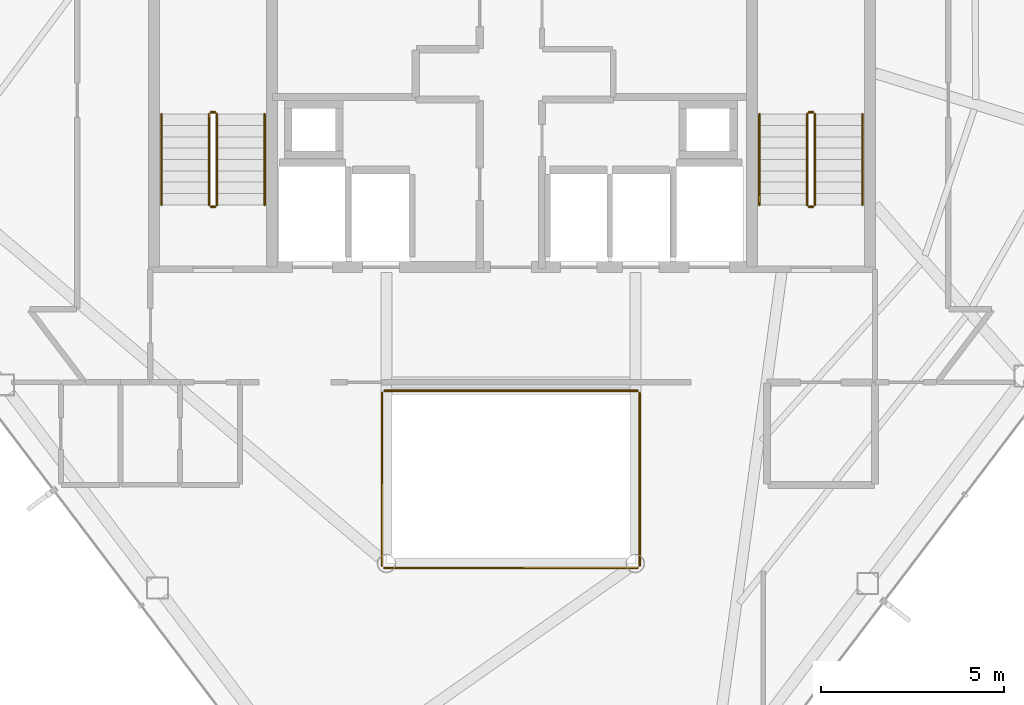
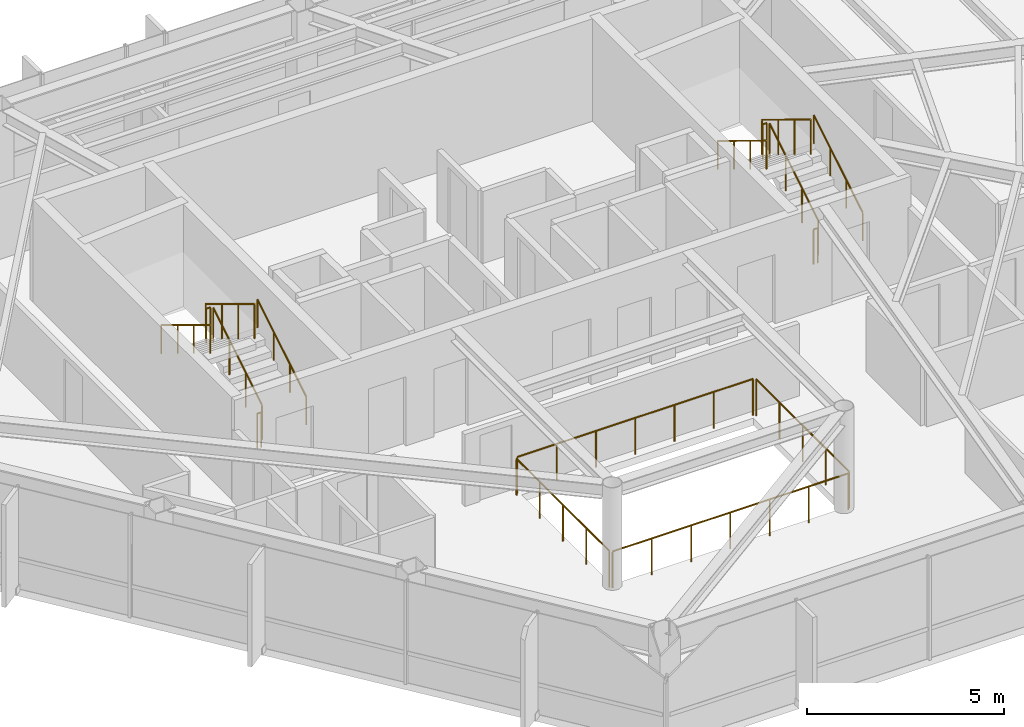
# One storey, part 27 of 27: 16 railings.
"""IFC4 building model written with IfcOpenShell, lengths in metres."""

from ifc_helpers import new_model, si_unit, direction, frame, origin, origin_2d, place, context, subcontext, project, spatial, circle, extrude, material, type_object, element, save


model = new_model("IFC4")

# Units and contexts
model_context = context("Model", 3, precision=1e-05, world=origin(), true_north=direction((0.0, 1.0)))
body_context = subcontext(model_context, "Body", "Model", "MODEL_VIEW")
ifc_project = project(units=[si_unit("LENGTHUNIT", "METRE"), si_unit("AREAUNIT", "SQUARE_METRE"), si_unit("VOLUMEUNIT", "CUBIC_METRE"), si_unit("PLANEANGLEUNIT", "RADIAN"), si_unit("MASSUNIT", "GRAM", prefix="KILO")], contexts=[model_context])

# Site, building, storey
site_placement = place(None, origin())
site = spatial("IfcSite", under=ifc_project, at=site_placement, CompositionType="ELEMENT")
building_placement = place(site_placement, origin())
building = spatial("IfcBuilding", under=site, at=building_placement, Name="Zarrinselat Tower", CompositionType="ELEMENT")
storey_placement = place(building_placement, frame((0.0, 0.0, 232.56005859375)))
storey = spatial("IfcBuildingStorey", under=building, at=storey_placement, Name="L58", CompositionType="ELEMENT", Elevation=232.56005859375)

# Railings
ifc_material_1 = material(Name="Double Low-E Laminated Solar Glass", Category="glass")
railing_type_1 = type_object("IfcRailingType", Name="RLG-ATRIUM-BAL", PredefinedType="BALUSTRADE", material=ifc_material_1)
railing_1_placement = place(storey_placement, frame((34.93994140625, 25.080078125, 0.0)))
element("IfcRailing", 1, at=railing_1_placement, inside=storey, type_object=railing_type_1, Name="L58 Atrium Void Glass Balustrade S", PredefinedType="BALUSTRADE", context=body_context, shape_type="SweptSolid", body=[
    extrude(circle(Radius=0.02392578125, at=origin_2d()), frame((0.0, 0.0, 1.1259765625), z_axis=(1.0, 0.0, 0.0), x_axis=(0.0, 1.0, 0.0)), (0.0, 0.0, 1.0), 6.920166015625),
    extrude(circle(Radius=0.02099609375, at=origin_2d()), origin(), (0.0, 0.0, 1.0), 1.099853515625),
    extrude(circle(Radius=0.02099609375, at=origin_2d()), frame((1.1533203125, 0.0, 0.0)), (0.0, 0.0, 1.0), 1.099853515625),
    extrude(circle(Radius=0.02099609375, at=origin_2d()), frame((2.306640625, 0.0, 0.0)), (0.0, 0.0, 1.0), 1.099853515625),
    extrude(circle(Radius=0.02099609375, at=origin_2d()), frame((3.4599609375, 0.0, 0.0)), (0.0, 0.0, 1.0), 1.099853515625),
    extrude(circle(Radius=0.02099609375, at=origin_2d()), frame((4.613525390625, 0.0, 0.0)), (0.0, 0.0, 1.0), 1.099853515625),
    extrude(circle(Radius=0.02099609375, at=origin_2d()), frame((5.766845703125, 0.0, 0.0)), (0.0, 0.0, 1.0), 1.099853515625),
    extrude(circle(Radius=0.02099609375, at=origin_2d()), frame((6.920166015625, 0.0, 0.0)), (0.0, 0.0, 1.0), 1.099853515625),
])
railing_2_placement = place(storey_placement, frame((41.919921875, 25.139892578125, 0.0)))
element("IfcRailing", 2, at=railing_2_placement, inside=storey, type_object=railing_type_1, Name="L58 Atrium Void Glass Balustrade E", PredefinedType="BALUSTRADE", context=body_context, shape_type="SweptSolid", body=[
    extrude(circle(Radius=0.02392578125, at=origin_2d()), frame((0.0, 0.0, 1.1259765625), z_axis=(0.0, 1.0, 0.0), x_axis=(-1.0, 0.0, 0.0)), (0.0, 0.0, 1.0), 4.72021484375),
    extrude(circle(Radius=0.02099609375, at=origin_2d()), origin(), (0.0, 0.0, 1.0), 1.099853515625),
    extrude(circle(Radius=0.02099609375, at=origin_2d()), frame((0.0, 1.18017578125, 0.0)), (0.0, 0.0, 1.0), 1.099853515625),
    extrude(circle(Radius=0.02099609375, at=origin_2d()), frame((0.0, 2.360107421875, 0.0)), (0.0, 0.0, 1.0), 1.099853515625),
    extrude(circle(Radius=0.02099609375, at=origin_2d()), frame((0.0, 3.5400390625, 0.0)), (0.0, 0.0, 1.0), 1.099853515625),
    extrude(circle(Radius=0.02099609375, at=origin_2d()), frame((0.0, 4.72021484375, 0.0)), (0.0, 0.0, 1.0), 1.099853515625),
])
railing_3_placement = place(storey_placement, frame((41.860107421875, 29.919921875, 0.0)))
element("IfcRailing", 3, at=railing_3_placement, inside=storey, type_object=railing_type_1, Name="L58 Atrium Void Glass Balustrade N", PredefinedType="BALUSTRADE", context=body_context, shape_type="SweptSolid", body=[
    extrude(circle(Radius=0.02392578125, at=origin_2d()), frame((0.0, 0.0, 1.1259765625), z_axis=(-1.0, 0.0, 0.0), x_axis=(0.0, -1.0, 0.0)), (0.0, 0.0, 1.0), 6.920166015625),
    extrude(circle(Radius=0.02099609375, at=origin_2d()), origin(), (0.0, 0.0, 1.0), 1.099853515625),
    extrude(circle(Radius=0.02099609375, at=origin_2d()), frame((-1.1533203125, 0.0, 0.0)), (0.0, 0.0, 1.0), 1.099853515625),
    extrude(circle(Radius=0.02099609375, at=origin_2d()), frame((-2.306640625, 0.0, 0.0)), (0.0, 0.0, 1.0), 1.099853515625),
    extrude(circle(Radius=0.02099609375, at=origin_2d()), frame((-3.4599609375, 0.0, 0.0)), (0.0, 0.0, 1.0), 1.099853515625),
    extrude(circle(Radius=0.02099609375, at=origin_2d()), frame((-4.613525390625, 0.0, 0.0)), (0.0, 0.0, 1.0), 1.099853515625),
    extrude(circle(Radius=0.02099609375, at=origin_2d()), frame((-5.766845703125, 0.0, 0.0)), (0.0, 0.0, 1.0), 1.099853515625),
    extrude(circle(Radius=0.02099609375, at=origin_2d()), frame((-6.920166015625, 0.0, 0.0)), (0.0, 0.0, 1.0), 1.099853515625),
])
railing_4_placement = place(storey_placement, frame((34.8798828125, 29.860107421875, 0.0)))
element("IfcRailing", 4, at=railing_4_placement, inside=storey, type_object=railing_type_1, Name="L58 Atrium Void Glass Balustrade W", PredefinedType="BALUSTRADE", context=body_context, shape_type="SweptSolid", body=[
    extrude(circle(Radius=0.02392578125, at=origin_2d()), frame((0.0, 0.0, 1.1259765625), z_axis=(0.0, -1.0, 0.0), x_axis=(1.0, 0.0, 0.0)), (0.0, 0.0, 1.0), 4.72021484375),
    extrude(circle(Radius=0.02099609375, at=origin_2d()), origin(), (0.0, 0.0, 1.0), 1.099853515625),
    extrude(circle(Radius=0.02099609375, at=origin_2d()), frame((0.0, -1.18017578125, 0.0)), (0.0, 0.0, 1.0), 1.099853515625),
    extrude(circle(Radius=0.02099609375, at=origin_2d()), frame((0.0, -2.360107421875, 0.0)), (0.0, 0.0, 1.0), 1.099853515625),
    extrude(circle(Radius=0.02099609375, at=origin_2d()), frame((0.0, -3.5400390625, 0.0)), (0.0, 0.0, 1.0), 1.099853515625),
    extrude(circle(Radius=0.02099609375, at=origin_2d()), frame((0.0, -4.72021484375, 0.0)), (0.0, 0.0, 1.0), 1.099853515625),
])
ifc_material_2 = material(Name="Steel S355J2", Category="steel")
railing_type_2 = type_object("IfcRailingType", Name="RLG-STAIR-GUARD", PredefinedType="GUARDRAIL", material=ifc_material_2)
railing_5_placement = place(storey_placement, frame((30.3701171875, 35.0, 0.188720703125)))
element("IfcRailing", 5, at=railing_5_placement, inside=storey, type_object=railing_type_2, Name="L58 ST-1 stair guard 1", PredefinedType="GUARDRAIL", context=body_context, shape_type="SweptSolid", body=[
    extrude(circle(Radius=0.02392578125, at=origin_2d()), frame((0.0, 0.0, 1.076171875), z_axis=(0.0, 0.853941963558, 0.520368256982), x_axis=(-1.0, 0.0, 0.0)), (0.0, 0.0, 1.0), 2.904052734375),
    extrude(circle(Radius=0.02099609375, at=origin_2d()), origin(), (0.0, 0.0, 1.0), 1.050048828125),
    extrude(circle(Radius=0.02099609375, at=origin_2d()), frame((0.0, 0.82666015625, 0.503662109375)), (0.0, 0.0, 1.0), 1.050048828125),
    extrude(circle(Radius=0.02099609375, at=origin_2d()), frame((0.0, 1.6533203125, 1.007568359375)), (0.0, 0.0, 1.0), 1.050048828125),
    extrude(circle(Radius=0.02099609375, at=origin_2d()), frame((0.0, 2.47998046875, 1.51123046875)), (0.0, 0.0, 1.0), 1.050048828125),
])
railing_6_placement = place(storey_placement, frame((30.320068359375, 37.530029296875, 1.699951171875)))
element("IfcRailing", 6, at=railing_6_placement, inside=storey, type_object=railing_type_2, Name="L58 ST-1 stair guard 2", PredefinedType="GUARDRAIL", context=body_context, shape_type="SweptSolid", body=[
    extrude(circle(Radius=0.02392578125, at=origin_2d()), frame((0.0, 0.0, 1.076171875), z_axis=(-1.0, 0.0, 0.0), x_axis=(0.0, -1.0, 0.0)), (0.0, 0.0, 1.0), 0.1201171875),
    extrude(circle(Radius=0.02099609375, at=origin_2d()), origin(), (0.0, 0.0, 1.0), 1.050048828125),
    extrude(circle(Radius=0.02099609375, at=origin_2d()), frame((-0.1201171875, 0.0, 0.0)), (0.0, 0.0, 1.0), 1.050048828125),
])
railing_7_placement = place(storey_placement, frame((30.14990234375, 37.47998046875, 1.888916015625)))
element("IfcRailing", 7, at=railing_7_placement, inside=storey, type_object=railing_type_2, Name="L58 ST-1 stair guard 3", PredefinedType="GUARDRAIL", context=body_context, shape_type="SweptSolid", body=[
    extrude(circle(Radius=0.02392578125, at=origin_2d()), frame((0.0, 0.0, 1.076171875), z_axis=(0.0, -0.8539793189, 0.520306950647), x_axis=(1.0, 0.0, 0.0)), (0.0, 0.0, 1.0), 2.904052734375),
    extrude(circle(Radius=0.02099609375, at=origin_2d()), origin(), (0.0, 0.0, 1.0), 1.050048828125),
    extrude(circle(Radius=0.02099609375, at=origin_2d()), frame((0.0, -0.82666015625, 0.503662109375)), (0.0, 0.0, 1.0), 1.050048828125),
    extrude(circle(Radius=0.02099609375, at=origin_2d()), frame((0.0, -1.6533203125, 1.00732421875)), (0.0, 0.0, 1.0), 1.050048828125),
    extrude(circle(Radius=0.02099609375, at=origin_2d()), frame((0.0, -2.47998046875, 1.510986328125)), (0.0, 0.0, 1.0), 1.050048828125),
])
railing_8_placement = place(storey_placement, frame((30.320068359375, 34.949951171875, 0.0)))
element("IfcRailing", 8, at=railing_8_placement, inside=storey, type_object=railing_type_2, Name="L58 ST-1 stair guard 4", PredefinedType="GUARDRAIL", context=body_context, shape_type="SweptSolid", body=[
    extrude(circle(Radius=0.02392578125, at=origin_2d()), frame((0.0, 0.0, 1.076171875), z_axis=(-1.0, 0.0, 0.0), x_axis=(0.0, -1.0, 0.0)), (0.0, 0.0, 1.0), 0.1201171875),
    extrude(circle(Radius=0.02099609375, at=origin_2d()), origin(), (0.0, 0.0, 1.0), 1.050048828125),
    extrude(circle(Radius=0.02099609375, at=origin_2d()), frame((-0.1201171875, 0.0, 0.0)), (0.0, 0.0, 1.0), 1.050048828125),
])
railing_9_placement = place(storey_placement, frame((46.7099609375, 35.0, 0.188720703125)))
element("IfcRailing", 9, at=railing_9_placement, inside=storey, type_object=railing_type_2, Name="L58 ST-2 stair guard 1", PredefinedType="GUARDRAIL", context=body_context, shape_type="SweptSolid", body=[
    extrude(circle(Radius=0.02392578125, at=origin_2d()), frame((0.0, 0.0, 1.076171875), z_axis=(0.0, 0.853941963558, 0.520368256982), x_axis=(-1.0, 0.0, 0.0)), (0.0, 0.0, 1.0), 2.904052734375),
    extrude(circle(Radius=0.02099609375, at=origin_2d()), origin(), (0.0, 0.0, 1.0), 1.050048828125),
    extrude(circle(Radius=0.02099609375, at=origin_2d()), frame((0.0, 0.82666015625, 0.503662109375)), (0.0, 0.0, 1.0), 1.050048828125),
    extrude(circle(Radius=0.02099609375, at=origin_2d()), frame((0.0, 1.6533203125, 1.007568359375)), (0.0, 0.0, 1.0), 1.050048828125),
    extrude(circle(Radius=0.02099609375, at=origin_2d()), frame((0.0, 2.47998046875, 1.51123046875)), (0.0, 0.0, 1.0), 1.050048828125),
])
railing_10_placement = place(storey_placement, frame((46.659912109375, 37.530029296875, 1.699951171875)))
element("IfcRailing", 10, at=railing_10_placement, inside=storey, type_object=railing_type_2, Name="L58 ST-2 stair guard 2", PredefinedType="GUARDRAIL", context=body_context, shape_type="SweptSolid", body=[
    extrude(circle(Radius=0.02392578125, at=origin_2d()), frame((0.0, 0.0, 1.076171875), z_axis=(-1.0, 0.0, 0.0), x_axis=(0.0, -1.0, 0.0)), (0.0, 0.0, 1.0), 0.119873046875),
    extrude(circle(Radius=0.02099609375, at=origin_2d()), origin(), (0.0, 0.0, 1.0), 1.050048828125),
    extrude(circle(Radius=0.02099609375, at=origin_2d()), frame((-0.119873046875, 0.0, 0.0)), (0.0, 0.0, 1.0), 1.050048828125),
])
railing_11_placement = place(storey_placement, frame((46.489990234375, 37.47998046875, 1.888916015625)))
element("IfcRailing", 11, at=railing_11_placement, inside=storey, type_object=railing_type_2, Name="L58 ST-2 stair guard 3", PredefinedType="GUARDRAIL", context=body_context, shape_type="SweptSolid", body=[
    extrude(circle(Radius=0.02392578125, at=origin_2d()), frame((0.0, 0.0, 1.076171875), z_axis=(0.0, -0.8539793189, 0.520306950647), x_axis=(1.0, 0.0, 0.0)), (0.0, 0.0, 1.0), 2.904052734375),
    extrude(circle(Radius=0.02099609375, at=origin_2d()), origin(), (0.0, 0.0, 1.0), 1.050048828125),
    extrude(circle(Radius=0.02099609375, at=origin_2d()), frame((0.0, -0.82666015625, 0.503662109375)), (0.0, 0.0, 1.0), 1.050048828125),
    extrude(circle(Radius=0.02099609375, at=origin_2d()), frame((0.0, -1.6533203125, 1.00732421875)), (0.0, 0.0, 1.0), 1.050048828125),
    extrude(circle(Radius=0.02099609375, at=origin_2d()), frame((0.0, -2.47998046875, 1.510986328125)), (0.0, 0.0, 1.0), 1.050048828125),
])
railing_12_placement = place(storey_placement, frame((46.659912109375, 34.949951171875, 0.0)))
element("IfcRailing", 12, at=railing_12_placement, inside=storey, type_object=railing_type_2, Name="L58 ST-2 stair guard 4", PredefinedType="GUARDRAIL", context=body_context, shape_type="SweptSolid", body=[
    extrude(circle(Radius=0.02392578125, at=origin_2d()), frame((0.0, 0.0, 1.076171875), z_axis=(-1.0, 0.0, 0.0), x_axis=(0.0, -1.0, 0.0)), (0.0, 0.0, 1.0), 0.119873046875),
    extrude(circle(Radius=0.02099609375, at=origin_2d()), origin(), (0.0, 0.0, 1.0), 1.050048828125),
    extrude(circle(Radius=0.02099609375, at=origin_2d()), frame((-0.119873046875, 0.0, 0.0)), (0.0, 0.0, 1.0), 1.050048828125),
])
ifc_material_3 = material(Name="Steel S355J2", Category="steel")
railing_type_3 = type_object("IfcRailingType", Name="RLG-STAIR-HAND", PredefinedType="HANDRAIL", material=ifc_material_3)
railing_13_placement = place(storey_placement, frame((31.669921875, 35.0, 0.188720703125)))
element("IfcRailing", 13, at=railing_13_placement, inside=storey, type_object=railing_type_3, Name="L58 ST-1 stair handrail 1", PredefinedType="HANDRAIL", context=body_context, shape_type="SweptSolid", body=[
    extrude(circle(Radius=0.02392578125, at=origin_2d()), frame((0.0, 0.0, 0.8759765625), z_axis=(0.0, 0.853941963558, 0.520368256982), x_axis=(-1.0, 0.0, 0.0)), (0.0, 0.0, 1.0), 2.904052734375),
    extrude(circle(Radius=0.02099609375, at=origin_2d()), origin(), (0.0, 0.0, 1.0), 0.849853515625),
    extrude(circle(Radius=0.02099609375, at=origin_2d()), frame((0.0, 0.82666015625, 0.503662109375)), (0.0, 0.0, 1.0), 0.849853515625),
    extrude(circle(Radius=0.02099609375, at=origin_2d()), frame((0.0, 1.6533203125, 1.007568359375)), (0.0, 0.0, 1.0), 0.849853515625),
    extrude(circle(Radius=0.02099609375, at=origin_2d()), frame((0.0, 2.47998046875, 1.51123046875)), (0.0, 0.0, 1.0), 0.849853515625),
])
railing_14_placement = place(storey_placement, frame((28.85009765625, 37.47998046875, 1.888916015625)))
element("IfcRailing", 14, at=railing_14_placement, inside=storey, type_object=railing_type_3, Name="L58 ST-1 stair handrail 2", PredefinedType="HANDRAIL", context=body_context, shape_type="SweptSolid", body=[
    extrude(circle(Radius=0.02392578125, at=origin_2d()), frame((0.0, 0.0, 0.8759765625), z_axis=(0.0, -0.8539793189, 0.520306950647), x_axis=(1.0, 0.0, 0.0)), (0.0, 0.0, 1.0), 2.904052734375),
    extrude(circle(Radius=0.02099609375, at=origin_2d()), origin(), (0.0, 0.0, 1.0), 0.849853515625),
    extrude(circle(Radius=0.02099609375, at=origin_2d()), frame((0.0, -0.82666015625, 0.503662109375)), (0.0, 0.0, 1.0), 0.849853515625),
    extrude(circle(Radius=0.02099609375, at=origin_2d()), frame((0.0, -1.6533203125, 1.00732421875)), (0.0, 0.0, 1.0), 0.849853515625),
    extrude(circle(Radius=0.02099609375, at=origin_2d()), frame((0.0, -2.47998046875, 1.510986328125)), (0.0, 0.0, 1.0), 0.849853515625),
])
railing_15_placement = place(storey_placement, frame((48.010009765625, 35.0, 0.188720703125)))
element("IfcRailing", 15, at=railing_15_placement, inside=storey, type_object=railing_type_3, Name="L58 ST-2 stair handrail 1", PredefinedType="HANDRAIL", context=body_context, shape_type="SweptSolid", body=[
    extrude(circle(Radius=0.02392578125, at=origin_2d()), frame((0.0, 0.0, 0.8759765625), z_axis=(0.0, 0.853941963558, 0.520368256982), x_axis=(-1.0, 0.0, 0.0)), (0.0, 0.0, 1.0), 2.904052734375),
    extrude(circle(Radius=0.02099609375, at=origin_2d()), origin(), (0.0, 0.0, 1.0), 0.849853515625),
    extrude(circle(Radius=0.02099609375, at=origin_2d()), frame((0.0, 0.82666015625, 0.503662109375)), (0.0, 0.0, 1.0), 0.849853515625),
    extrude(circle(Radius=0.02099609375, at=origin_2d()), frame((0.0, 1.6533203125, 1.007568359375)), (0.0, 0.0, 1.0), 0.849853515625),
    extrude(circle(Radius=0.02099609375, at=origin_2d()), frame((0.0, 2.47998046875, 1.51123046875)), (0.0, 0.0, 1.0), 0.849853515625),
])
railing_16_placement = place(storey_placement, frame((45.18994140625, 37.47998046875, 1.888916015625)))
element("IfcRailing", 16, at=railing_16_placement, inside=storey, type_object=railing_type_3, Name="L58 ST-2 stair handrail 2", PredefinedType="HANDRAIL", context=body_context, shape_type="SweptSolid", body=[
    extrude(circle(Radius=0.02392578125, at=origin_2d()), frame((0.0, 0.0, 0.8759765625), z_axis=(0.0, -0.8539793189, 0.520306950647), x_axis=(1.0, 0.0, 0.0)), (0.0, 0.0, 1.0), 2.904052734375),
    extrude(circle(Radius=0.02099609375, at=origin_2d()), origin(), (0.0, 0.0, 1.0), 0.849853515625),
    extrude(circle(Radius=0.02099609375, at=origin_2d()), frame((0.0, -0.82666015625, 0.503662109375)), (0.0, 0.0, 1.0), 0.849853515625),
    extrude(circle(Radius=0.02099609375, at=origin_2d()), frame((0.0, -1.6533203125, 1.00732421875)), (0.0, 0.0, 1.0), 0.849853515625),
    extrude(circle(Radius=0.02099609375, at=origin_2d()), frame((0.0, -2.47998046875, 1.510986328125)), (0.0, 0.0, 1.0), 0.849853515625),
])

save(model, "model.ifc")
